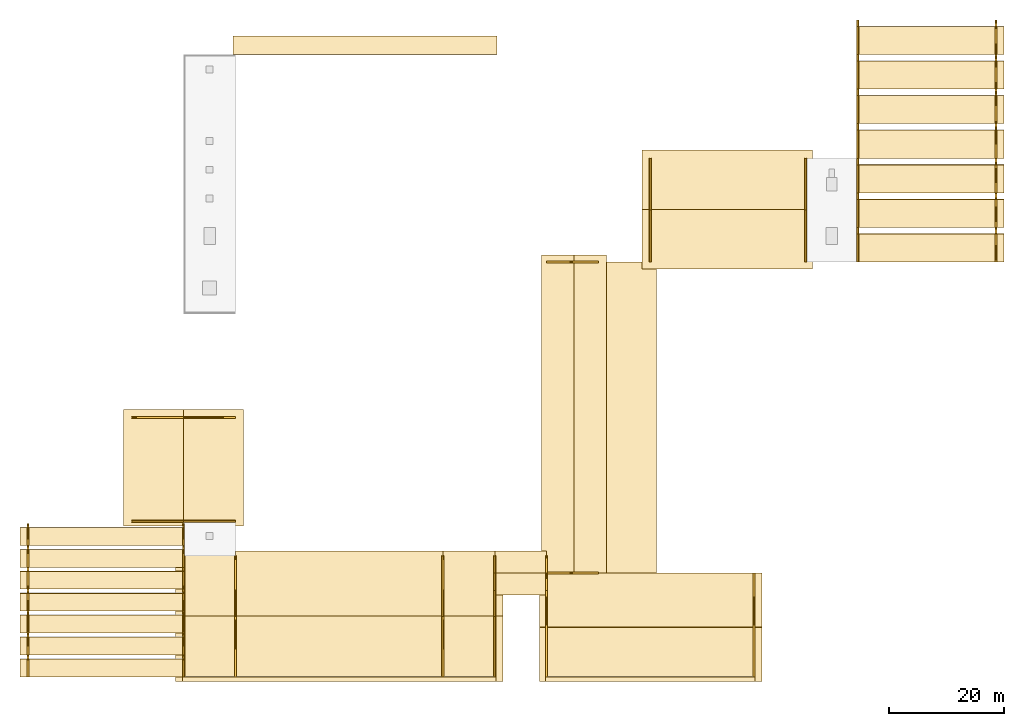
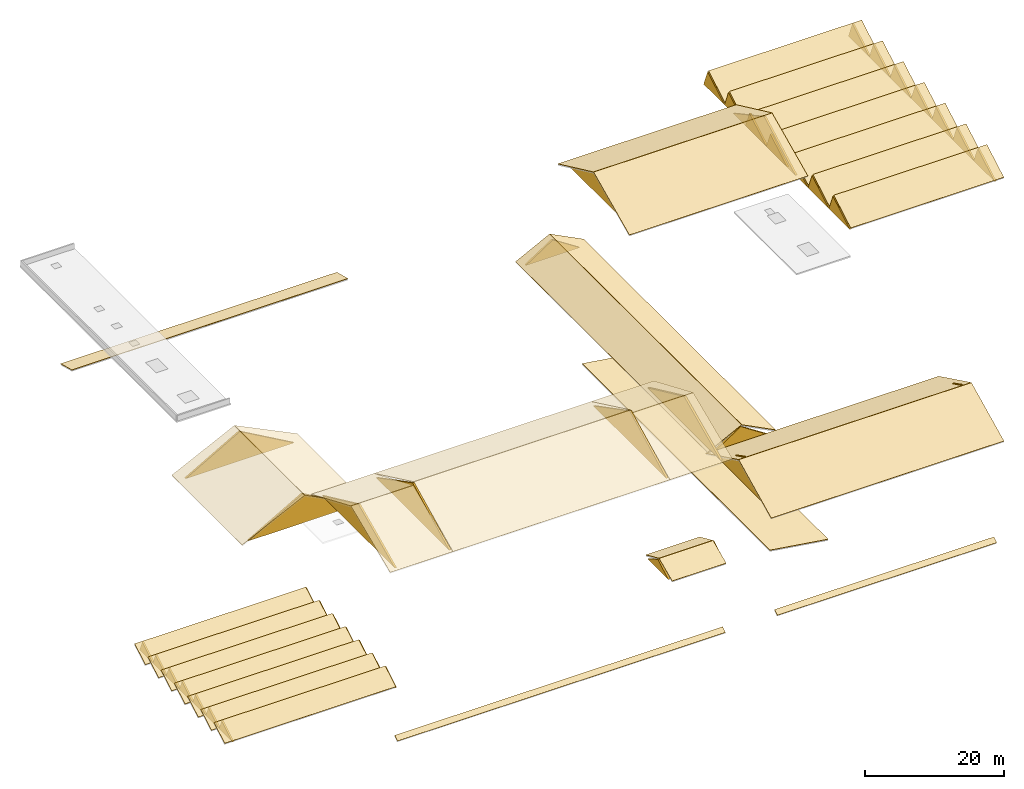
# One storey, part 2 of 2: 76 coverings, 14 elements without a shape of their own.
"""IFC4 building model written with IfcOpenShell, lengths in metres."""

from ifc_helpers import new_model, si_unit, direction, frame, origin, place, context, subcontext, project, spatial, polyline, outline, extrude, material, layer, layer_set, type_object, element, aggregate, save


model = new_model("IFC4")

# Units and contexts
model_context = context("Model", 3, precision=1e-05, world=origin(), true_north=direction((0.0, 1.0)))
body_context = subcontext(model_context, "Body", "Model", "MODEL_VIEW")
ifc_project = project(units=[si_unit("LENGTHUNIT", "METRE"), si_unit("AREAUNIT", "SQUARE_METRE"), si_unit("VOLUMEUNIT", "CUBIC_METRE"), si_unit("PLANEANGLEUNIT", "RADIAN"), si_unit("MASSUNIT", "GRAM", prefix="KILO")], contexts=[model_context])

# Site, building, storey
site_placement = place(None, origin())
site = spatial("IfcSite", under=ifc_project, at=site_placement, CompositionType="ELEMENT")
building_placement = place(site_placement, origin())
building = spatial("IfcBuilding", under=site, at=building_placement, Name="Lykobir Media Centre", CompositionType="ELEMENT")
storey_placement = place(building_placement, frame((0.0, 0.0, 40.199951171875)))
storey = spatial("IfcBuildingStorey", under=building, at=storey_placement, Name="Roof", CompositionType="ELEMENT", Elevation=40.199951171875)

# Coverings
ifc_material_1 = material(Name="Honed Travertine Stone", Category="masonry")
ifc_layer_1 = layer(ifc_material_1, 0.050048828125, Name="Honed Travertine Stone")
ifc_layer_set_1 = layer_set([ifc_layer_1], Name="Honed Travertine Stone")
covering_type_1 = type_object("IfcCoveringType", Name="CLD-TRAV", PredefinedType="CLADDING", material=ifc_layer_set_1)
for number, where, z_axis, x_axis, name in (
    (1, (36.0, 27.159912109375, -8.5), (0.0, 1.0, 0.0), (-1.0, 0.0, 0.0), "V3-PAV stone gable tympanum 990"),
    (2, (36.0, 45.159912109375, -8.5), (0.0, 1.0, 0.0), (-1.0, 0.0, 0.0), "V3-PAV stone gable tympanum 991"),
):
    element("IfcCovering", number, at=place(storey_placement, frame(where, z_axis=z_axis, x_axis=x_axis)), inside=storey, type_object=covering_type_1, Name=name, PredefinedType="CLADDING", context=body_context, shape_type="SweptSolid", body=[
        extrude(outline(polyline([(0.0, 0.0), (18.0, 0.0), (9.0, 5.132568359375), (0.0, 0.0)])), origin(), (0.0, 0.0, -1.0), 0.320068359375),
    ])
for number, where, z_axis, x_axis, name in (
    (3, (90.159912109375, 0.0, -12.699951171875), (1.0, 0.0, 0.0), (0.0, 1.0, 0.0), "V5-SOUTH stone gable tympanum 992"),
    (4, (126.159912109375, 0.0, -12.699951171875), (1.0, 0.0, 0.0), (0.0, 1.0, 0.0), "V5-SOUTH stone gable tympanum 993"),
):
    element("IfcCovering", number, at=place(storey_placement, frame(where, z_axis=z_axis, x_axis=x_axis)), inside=storey, type_object=covering_type_1, Name=name, PredefinedType="CLADDING", context=body_context, shape_type="SweptSolid", body=[
        extrude(outline(polyline([(0.0, 0.0), (18.0, 0.0), (9.0, 4.632568359375), (0.0, 0.0)])), origin(), (0.0, 0.0, -1.0), 0.320068359375),
    ])
for number, where, z_axis, x_axis, name in (
    (5, (99.0, 18.159912109375, -12.699951171875), (0.0, 1.0, 0.0), (-1.0, 0.0, 0.0), "V5-PASAJ stone gable tympanum 994"),
    (6, (99.0, 72.159912109375, -12.699951171875), (0.0, 1.0, 0.0), (-1.0, 0.0, 0.0), "V5-PASAJ stone gable tympanum 995"),
):
    element("IfcCovering", number, at=place(storey_placement, frame(where, z_axis=z_axis, x_axis=x_axis)), inside=storey, type_object=covering_type_1, Name=name, PredefinedType="CLADDING", context=body_context, shape_type="SweptSolid", body=[
        extrude(outline(polyline([(0.0, 0.0), (9.0, 0.0), (4.5, 2.938720703125), (0.0, 0.0)])), origin(), (0.0, 0.0, -1.0), 0.320068359375),
    ])
for number, where, z_axis, x_axis, name in (
    (7, (108.159912109375, 72.0, -12.699951171875), (1.0, 0.0, 0.0), (0.0, 1.0, 0.0), "V5-NORTH stone gable tympanum 996"),
    (8, (135.159912109375, 72.0, -12.699951171875), (1.0, 0.0, 0.0), (0.0, 1.0, 0.0), "V5-NORTH stone gable tympanum 997"),
):
    element("IfcCovering", number, at=place(storey_placement, frame(where, z_axis=z_axis, x_axis=x_axis)), inside=storey, type_object=covering_type_1, Name=name, PredefinedType="CLADDING", context=body_context, shape_type="SweptSolid", body=[
        extrude(outline(polyline([(0.0, 0.0), (18.0, 0.0), (9.0, 4.863037109375), (0.0, 0.0)])), origin(), (0.0, 0.0, -1.0), 0.320068359375),
    ])
covering_1_placement = place(storey_placement, frame((27.159912109375, 0.0, -0.099853515625), z_axis=(1.0, 0.0, 0.0), x_axis=(0.0, 1.0, 0.0)))
element("IfcCovering", 9, at=covering_1_placement, inside=storey, type_object=covering_type_1, Name="V7-WEST stone gable tympanum 998", PredefinedType="CLADDING", context=body_context, shape_type="SweptSolid", body=[
    extrude(outline(polyline([(0.0, 0.0), (21.0, 0.0), (10.5, 4.86279296875), (0.0, 0.0)])), origin(), (0.0, 0.0, -1.0), 0.320068359375),
])
for number, where, z_axis, x_axis, name in (
    (10, (36.159912109375, 0.0, -0.099853515625), (1.0, 0.0, 0.0), (0.0, 1.0, 0.0), "V7-CROWN stone gable tympanum 999"),
    (11, (72.159912109375, 0.0, -0.099853515625), (1.0, 0.0, 0.0), (0.0, 1.0, 0.0), "V7-CROWN stone gable tympanum 1000"),
):
    element("IfcCovering", number, at=place(storey_placement, frame(where, z_axis=z_axis, x_axis=x_axis)), inside=storey, type_object=covering_type_1, Name=name, PredefinedType="CLADDING", context=body_context, shape_type="SweptSolid", body=[
        extrude(outline(polyline([(0.0, 0.0), (21.0, 0.0), (10.5, 5.456787109375), (0.0, 0.0)])), origin(), (0.0, 0.0, -1.0), 0.320068359375),
    ])
covering_2_placement = place(storey_placement, frame((81.159912109375, 0.0, -0.099853515625), z_axis=(1.0, 0.0, 0.0), x_axis=(0.0, 1.0, 0.0)))
element("IfcCovering", 12, at=covering_2_placement, inside=storey, type_object=covering_type_1, Name="V7-EAST stone gable tympanum 1001", PredefinedType="CLADDING", context=body_context, shape_type="SweptSolid", body=[
    extrude(outline(polyline([(0.0, 0.0), (21.0, 0.0), (10.5, 4.86279296875), (0.0, 0.0)])), origin(), (0.0, 0.0, -1.0), 0.320068359375),
])
for number, where, z_axis, x_axis, name in (
    (13, (81.159912109375, 15.0, -30.099853515625), (1.0, 0.0, 0.0), (0.0, 1.0, 0.0), "BR1-CAN stone gable tympanum 1002"),
    (14, (90.159912109375, 15.0, -30.099853515625), (1.0, 0.0, 0.0), (0.0, 1.0, 0.0), "BR1-CAN stone gable tympanum 1003"),
):
    element("IfcCovering", number, at=place(storey_placement, frame(where, z_axis=z_axis, x_axis=x_axis)), inside=storey, type_object=covering_type_1, Name=name, PredefinedType="CLADDING", context=body_context, shape_type="SweptSolid", body=[
        extrude(outline(polyline([(0.0, 0.0), (6.0, 0.0), (3.0, 1.751708984375), (0.0, 0.0)])), origin(), (0.0, 0.0, -1.0), 0.320068359375),
    ])
for number, where, z_axis, x_axis, name in (
    (15, (0.14990234375, 0.0, -21.099853515625), (1.0, 0.0, 0.0), (0.0, 1.0, 0.0), "V1 sawtooth cheek 1"),
    (16, (27.14990234375, 0.0, -21.099853515625), (1.0, 0.0, 0.0), (0.0, 1.0, 0.0), "V1 sawtooth cheek 1"),
    (17, (0.14990234375, 3.800048828125, -21.099853515625), (1.0, 0.0, 0.0), (0.0, 1.0, 0.0), "V1 sawtooth cheek 2"),
    (18, (27.14990234375, 3.800048828125, -21.099853515625), (1.0, 0.0, 0.0), (0.0, 1.0, 0.0), "V1 sawtooth cheek 2"),
):
    element("IfcCovering", number, at=place(storey_placement, frame(where, z_axis=z_axis, x_axis=x_axis)), inside=storey, type_object=covering_type_1, Name=name, PredefinedType="CLADDING", context=body_context, shape_type="SweptSolid", body=[
        extrude(outline(polyline([(0.0, 0.0), (3.800048828125, 0.0), (3.081298828125, 1.8388671875), (0.0, 0.0)])), origin(), (0.0, 0.0, -1.0), 0.300048828125),
    ])
for number, where, z_axis, x_axis, name in (
    (19, (0.14990234375, 7.60009765625, -21.099853515625), (1.0, 0.0, 0.0), (0.0, 1.0, 0.0), "V1 sawtooth cheek 3"),
    (20, (27.14990234375, 7.60009765625, -21.099853515625), (1.0, 0.0, 0.0), (0.0, 1.0, 0.0), "V1 sawtooth cheek 3"),
):
    element("IfcCovering", number, at=place(storey_placement, frame(where, z_axis=z_axis, x_axis=x_axis)), inside=storey, type_object=covering_type_1, Name=name, PredefinedType="CLADDING", context=body_context, shape_type="SweptSolid", body=[
        extrude(outline(polyline([(0.0, 0.0), (3.7998046875, 0.0), (3.081298828125, 1.8388671875), (0.0, 0.0)])), origin(), (0.0, 0.0, -1.0), 0.300048828125),
    ])
for number, where, z_axis, x_axis, name in (
    (21, (0.14990234375, 11.39990234375, -21.099853515625), (1.0, 0.0, 0.0), (0.0, 1.0, 0.0), "V1 sawtooth cheek 4"),
    (22, (27.14990234375, 11.39990234375, -21.099853515625), (1.0, 0.0, 0.0), (0.0, 1.0, 0.0), "V1 sawtooth cheek 4"),
    (23, (0.14990234375, 15.199951171875, -21.099853515625), (1.0, 0.0, 0.0), (0.0, 1.0, 0.0), "V1 sawtooth cheek 5"),
    (24, (27.14990234375, 15.199951171875, -21.099853515625), (1.0, 0.0, 0.0), (0.0, 1.0, 0.0), "V1 sawtooth cheek 5"),
    (25, (0.14990234375, 19.0, -21.099853515625), (1.0, 0.0, 0.0), (0.0, 1.0, 0.0), "V1 sawtooth cheek 6"),
    (26, (27.14990234375, 19.0, -21.099853515625), (1.0, 0.0, 0.0), (0.0, 1.0, 0.0), "V1 sawtooth cheek 6"),
    (27, (0.14990234375, 22.800048828125, -21.099853515625), (1.0, 0.0, 0.0), (0.0, 1.0, 0.0), "V1 sawtooth cheek 7"),
    (28, (27.14990234375, 22.800048828125, -21.099853515625), (1.0, 0.0, 0.0), (0.0, 1.0, 0.0), "V1 sawtooth cheek 7"),
):
    element("IfcCovering", number, at=place(storey_placement, frame(where, z_axis=z_axis, x_axis=x_axis)), inside=storey, type_object=covering_type_1, Name=name, PredefinedType="CLADDING", context=body_context, shape_type="SweptSolid", body=[
        extrude(outline(polyline([(0.0, 0.0), (3.800048828125, 0.0), (3.081298828125, 1.8388671875), (0.0, 0.0)])), origin(), (0.0, 0.0, -1.0), 0.300048828125),
    ])
for number, where, z_axis, x_axis, name in (
    (29, (144.14990234375, 72.0, -25.300048828125), (1.0, 0.0, 0.0), (0.0, 1.0, 0.0), "V2 sawtooth cheek 1"),
    (30, (168.14990234375, 72.0, -25.300048828125), (1.0, 0.0, 0.0), (0.0, 1.0, 0.0), "V2 sawtooth cheek 1"),
    (31, (144.14990234375, 78.0, -25.300048828125), (1.0, 0.0, 0.0), (0.0, 1.0, 0.0), "V2 sawtooth cheek 2"),
    (32, (168.14990234375, 78.0, -25.300048828125), (1.0, 0.0, 0.0), (0.0, 1.0, 0.0), "V2 sawtooth cheek 2"),
    (33, (144.14990234375, 84.0, -25.300048828125), (1.0, 0.0, 0.0), (0.0, 1.0, 0.0), "V2 sawtooth cheek 3"),
    (34, (168.14990234375, 84.0, -25.300048828125), (1.0, 0.0, 0.0), (0.0, 1.0, 0.0), "V2 sawtooth cheek 3"),
    (35, (144.14990234375, 90.0, -25.300048828125), (1.0, 0.0, 0.0), (0.0, 1.0, 0.0), "V2 sawtooth cheek 4"),
    (36, (168.14990234375, 90.0, -25.300048828125), (1.0, 0.0, 0.0), (0.0, 1.0, 0.0), "V2 sawtooth cheek 4"),
    (37, (144.14990234375, 96.0, -25.300048828125), (1.0, 0.0, 0.0), (0.0, 1.0, 0.0), "V2 sawtooth cheek 5"),
    (38, (168.14990234375, 96.0, -25.300048828125), (1.0, 0.0, 0.0), (0.0, 1.0, 0.0), "V2 sawtooth cheek 5"),
    (39, (144.14990234375, 102.0, -25.300048828125), (1.0, 0.0, 0.0), (0.0, 1.0, 0.0), "V2 sawtooth cheek 6"),
    (40, (168.14990234375, 102.0, -25.300048828125), (1.0, 0.0, 0.0), (0.0, 1.0, 0.0), "V2 sawtooth cheek 6"),
    (41, (144.14990234375, 108.0, -25.300048828125), (1.0, 0.0, 0.0), (0.0, 1.0, 0.0), "V2 sawtooth cheek 7"),
    (42, (168.14990234375, 108.0, -25.300048828125), (1.0, 0.0, 0.0), (0.0, 1.0, 0.0), "V2 sawtooth cheek 7"),
):
    element("IfcCovering", number, at=place(storey_placement, frame(where, z_axis=z_axis, x_axis=x_axis)), inside=storey, type_object=covering_type_1, Name=name, PredefinedType="CLADDING", context=body_context, shape_type="SweptSolid", body=[
        extrude(outline(polyline([(0.0, 0.0), (6.0, 0.0), (4.864990234375, 2.868896484375), (0.0, 0.0)])), origin(), (0.0, 0.0, -1.0), 0.300048828125),
    ])

# Roof, coverings
ifc_material_2 = material(Name="Pre-Weathered Titanium-Zinc", Category="metal")
roof_type_1 = type_object("IfcRoofType", Name="RF-PITCHED", PredefinedType="GABLE_ROOF", material=ifc_material_2)
roof_1_placement = place(storey_placement, origin())
roof_1 = element("IfcRoof", 43, at=roof_1_placement, inside=storey, type_object=roof_type_1, Name="Pitched zinc roof V3-PAV", PredefinedType="GABLE_ROOF")
ifc_layer_2 = layer(ifc_material_2, 0.080078125, Name="Pre-Weathered Titanium-Zinc")
ifc_layer_set_2 = layer_set([ifc_layer_2], Name="Pre-Weathered Titanium-Zinc")
covering_type_2 = type_object("IfcCoveringType", Name="COV-ZINC-ROOF", PredefinedType="ROOFING", material=ifc_layer_set_2)
covering_3_placement = place(storey_placement, frame((16.60009765625, 46.39990234375, -8.31494140625), z_axis=(-0.438888448449, 0.0, 0.89854155709), x_axis=(0.0, -1.0, 0.0)))
covering_3 = element("IfcCovering", 44, at=covering_3_placement, type_object=covering_type_2, Name="V3-PAV titanium-zinc covering W", PredefinedType="ROOFING", context=body_context, shape_type="SweptSolid", body=[
    extrude(outline(polyline([(0.0, 0.0), (20.199951171875, 0.0), (20.199951171875, 11.55762878597888), (0.0, 11.55762878597888), (0.0, 0.0)])), origin(), (0.0, 0.0, -1.0), 0.080078125),
])
covering_4_placement = place(storey_placement, frame((37.39990234375, 26.199951171875, -8.31494140625), z_axis=(0.438888448449, 0.0, 0.89854155709), x_axis=(0.0, 1.0, 0.0)))
covering_4 = element("IfcCovering", 45, at=covering_4_placement, type_object=covering_type_2, Name="V3-PAV titanium-zinc covering E", PredefinedType="ROOFING", context=body_context, shape_type="SweptSolid", body=[
    extrude(outline(polyline([(0.0, 0.0), (20.199951171875, 0.0), (20.199951171875, 11.55762878597888), (0.0, 11.55762878597888), (0.0, 0.0)])), origin(), (0.0, 0.0, -1.0), 0.080078125),
])
aggregate(roof_1, [covering_3, covering_4])

roof_2_placement = place(storey_placement, origin())
roof_2 = element("IfcRoof", 46, at=roof_2_placement, inside=storey, type_object=roof_type_1, Name="Pitched zinc roof V5-SOUTH", PredefinedType="GABLE_ROOF")
covering_5_placement = place(storey_placement, frame((88.800048828125, -0.780029296875, -12.514892578125), z_axis=(0.0, -0.438935631142, 0.898518509389), x_axis=(1.0, 0.0, 0.0)))
covering_5 = element("IfcCovering", 47, at=covering_5_placement, type_object=covering_type_2, Name="V5-SOUTH titanium-zinc covering S", PredefinedType="ROOFING", context=body_context, shape_type="SweptSolid", body=[
    extrude(outline(polyline([(0.0, 0.0), (38.599853515625, 0.0), (38.599853515625, 10.41726722829819), (0.0, 10.41726722829819), (0.0, 0.0)])), origin(), (0.0, 0.0, -1.0), 0.080078125),
])
covering_6_placement = place(storey_placement, frame((127.39990234375, 17.969970703125, -12.514892578125), z_axis=(0.0, 0.438944874338, 0.898513993933), x_axis=(-1.0, 0.0, 0.0)))
covering_6 = element("IfcCovering", 48, at=covering_6_placement, type_object=covering_type_2, Name="V5-SOUTH titanium-zinc covering N", PredefinedType="ROOFING", context=body_context, shape_type="SweptSolid", body=[
    extrude(outline(polyline([(0.0, 0.0), (38.599853515625, 0.0), (38.599853515625, 10.417047863978931), (0.0, 10.417047863978931), (0.0, 0.0)])), origin(), (0.0, 0.0, -1.0), 0.080078125),
])
aggregate(roof_2, [covering_5, covering_6])

roof_3_placement = place(storey_placement, origin())
roof_3 = element("IfcRoof", 49, at=roof_3_placement, inside=storey, type_object=roof_type_1, Name="Pitched zinc roof V5-PASAJ", PredefinedType="GABLE_ROOF")
covering_7_placement = place(storey_placement, frame((89.10009765625, 73.199951171875, -12.514892578125), z_axis=(-0.454928862473, 0.0, 0.890527781761), x_axis=(0.0, -1.0, 0.0)))
covering_7 = element("IfcCovering", 50, at=covering_7_placement, type_object=covering_type_2, Name="V5-PASAJ titanium-zinc covering W", PredefinedType="ROOFING", context=body_context, shape_type="SweptSolid", body=[
    extrude(outline(polyline([(0.0, 0.0), (55.169921875, 0.0), (55.169921875, 6.327719225648404), (0.0, 6.327719225648404), (0.0, 0.0)])), origin(), (0.0, 0.0, -1.0), 0.080078125),
])
covering_8_placement = place(storey_placement, frame((100.39990234375, 18.030029296875, -12.514892578125), z_axis=(0.454928862473, 0.0, 0.890527781761), x_axis=(0.0, 1.0, 0.0)))
covering_8 = element("IfcCovering", 51, at=covering_8_placement, type_object=covering_type_2, Name="V5-PASAJ titanium-zinc covering E", PredefinedType="ROOFING", context=body_context, shape_type="SweptSolid", body=[
    extrude(outline(polyline([(0.0, 0.0), (55.169921875, 0.0), (55.169921875, 6.327719225648404), (0.0, 6.327719225648404), (0.0, 0.0)])), origin(), (0.0, 0.0, -1.0), 0.080078125),
])
aggregate(roof_3, [covering_7, covering_8])

roof_4_placement = place(storey_placement, origin())
roof_4 = element("IfcRoof", 52, at=roof_4_placement, inside=storey, type_object=roof_type_1, Name="Pitched zinc roof V5-NORTH", PredefinedType="GABLE_ROOF")
covering_9_placement = place(storey_placement, frame((106.60009765625, 70.800048828125, -12.514892578125), z_axis=(0.0, -0.423128004547, 0.906069915497), x_axis=(1.0, 0.0, 0.0)))
covering_9 = element("IfcCovering", 53, at=covering_9_placement, type_object=covering_type_2, Name="V5-NORTH titanium-zinc covering S", PredefinedType="ROOFING", context=body_context, shape_type="SweptSolid", body=[
    extrude(outline(polyline([(0.0, 0.0), (29.599853515625, 0.0), (29.599853515625, 11.351124161030214), (0.0, 11.351124161030214), (0.0, 0.0)])), origin(), (0.0, 0.0, -1.0), 0.080078125),
])
covering_10_placement = place(storey_placement, frame((136.199951171875, 91.39990234375, -12.514892578125), z_axis=(0.0, 0.423128004547, 0.906069915497), x_axis=(-1.0, 0.0, 0.0)))
covering_10 = element("IfcCovering", 54, at=covering_10_placement, type_object=covering_type_2, Name="V5-NORTH titanium-zinc covering N", PredefinedType="ROOFING", context=body_context, shape_type="SweptSolid", body=[
    extrude(outline(polyline([(0.0, 0.0), (29.599853515625, 0.0), (29.599853515625, 11.351124161030214), (0.0, 11.351124161030214), (0.0, 0.0)])), origin(), (0.0, 0.0, -1.0), 0.080078125),
])
aggregate(roof_4, [covering_9, covering_10])

roof_5_placement = place(storey_placement, origin())
roof_5 = element("IfcRoof", 55, at=roof_5_placement, inside=storey, type_object=roof_type_1, Name="Pitched zinc roof V7-WEST", PredefinedType="GABLE_ROOF")
covering_11_placement = place(storey_placement, frame((25.60009765625, -0.780029296875, 0.0849609375), z_axis=(0.0, -0.391172218266, 0.920317497202), x_axis=(1.0, 0.0, 0.0)))
covering_11 = element("IfcCovering", 56, at=covering_11_placement, type_object=covering_type_2, Name="V7-WEST titanium-zinc covering S", PredefinedType="ROOFING", context=body_context, shape_type="SweptSolid", body=[
    extrude(outline(polyline([(0.0, 0.0), (10.39990234375, 0.0), (10.39990234375, 12.278424416005684), (0.0, 12.278424416005684), (0.0, 0.0)])), origin(), (0.0, 0.0, -1.0), 0.080078125),
])
covering_12_placement = place(storey_placement, frame((36.0, 21.85009765625, 0.0849609375), z_axis=(0.0, 0.391172218266, 0.920317497202), x_axis=(-1.0, 0.0, 0.0)))
covering_12 = element("IfcCovering", 57, at=covering_12_placement, type_object=covering_type_2, Name="V7-WEST titanium-zinc covering N", PredefinedType="ROOFING", context=body_context, shape_type="SweptSolid", body=[
    extrude(outline(polyline([(0.0, 0.0), (10.39990234375, 0.0), (10.39990234375, 12.278424416005684), (0.0, 12.278424416005684), (0.0, 0.0)])), origin(), (0.0, 0.0, -1.0), 0.080078125),
])
aggregate(roof_5, [covering_11, covering_12])

roof_6_placement = place(storey_placement, origin())
roof_6 = element("IfcRoof", 58, at=roof_6_placement, inside=storey, type_object=roof_type_1, Name="Pitched zinc roof V7-CROWN", PredefinedType="GABLE_ROOF")
covering_13_placement = place(storey_placement, frame((36.010009765625, -0.780029296875, 0.0849609375), z_axis=(0.0, -0.430974609099, 0.9023640542), x_axis=(1.0, 0.0, 0.0)))
covering_13 = element("IfcCovering", 59, at=covering_13_placement, type_object=covering_type_2, Name="V7-CROWN titanium-zinc covering S", PredefinedType="ROOFING", context=body_context, shape_type="SweptSolid", body=[
    extrude(outline(polyline([(0.0, 0.0), (35.97998046875, 0.0), (35.97998046875, 12.522716054048313), (0.0, 12.522716054048313), (0.0, 0.0)])), origin(), (0.0, 0.0, -1.0), 0.080078125),
])
covering_14_placement = place(storey_placement, frame((71.989990234375, 21.85009765625, 0.0849609375), z_axis=(0.0, 0.430974609099, 0.9023640542), x_axis=(-1.0, 0.0, 0.0)))
covering_14 = element("IfcCovering", 60, at=covering_14_placement, type_object=covering_type_2, Name="V7-CROWN titanium-zinc covering N", PredefinedType="ROOFING", context=body_context, shape_type="SweptSolid", body=[
    extrude(outline(polyline([(0.0, 0.0), (35.97998046875, 0.0), (35.97998046875, 12.522716054048313), (0.0, 12.522716054048313), (0.0, 0.0)])), origin(), (0.0, 0.0, -1.0), 0.080078125),
])
aggregate(roof_6, [covering_13, covering_14])

roof_7_placement = place(storey_placement, origin())
roof_7 = element("IfcRoof", 61, at=roof_7_placement, inside=storey, type_object=roof_type_1, Name="Pitched zinc roof V7-EAST", PredefinedType="GABLE_ROOF")
covering_15_placement = place(storey_placement, frame((72.0, -0.780029296875, 0.0849609375), z_axis=(0.0, -0.391172218266, 0.920317497202), x_axis=(1.0, 0.0, 0.0)))
covering_15 = element("IfcCovering", 62, at=covering_15_placement, type_object=covering_type_2, Name="V7-EAST titanium-zinc covering S", PredefinedType="ROOFING", context=body_context, shape_type="SweptSolid", body=[
    extrude(outline(polyline([(0.0, 0.0), (10.39990234375, 0.0), (10.39990234375, 12.278424416005684), (0.0, 12.278424416005684), (0.0, 0.0)])), origin(), (0.0, 0.0, -1.0), 0.080078125),
])
covering_16_placement = place(storey_placement, frame((82.39990234375, 21.85009765625, 0.0849609375), z_axis=(0.0, 0.391172218266, 0.920317497202), x_axis=(-1.0, 0.0, 0.0)))
covering_16 = element("IfcCovering", 63, at=covering_16_placement, type_object=covering_type_2, Name="V7-EAST titanium-zinc covering N", PredefinedType="ROOFING", context=body_context, shape_type="SweptSolid", body=[
    extrude(outline(polyline([(0.0, 0.0), (10.39990234375, 0.0), (10.39990234375, 12.278424416005684), (0.0, 12.278424416005684), (0.0, 0.0)])), origin(), (0.0, 0.0, -1.0), 0.080078125),
])
aggregate(roof_7, [covering_15, covering_16])

roof_8_placement = place(storey_placement, origin())
roof_8 = element("IfcRoof", 64, at=roof_8_placement, inside=storey, type_object=roof_type_1, Name="Pitched zinc roof BR1-CAN", PredefinedType="GABLE_ROOF")
covering_17_placement = place(storey_placement, frame((81.02001953125, 14.199951171875, -29.9150390625), z_axis=(0.0, -0.408071648811, 0.912949905218), x_axis=(1.0, 0.0, 0.0)))
covering_17 = element("IfcCovering", 65, at=covering_17_placement, type_object=covering_type_2, Name="BR1-CAN titanium-zinc covering S", PredefinedType="ROOFING", context=body_context, shape_type="SweptSolid", body=[
    extrude(outline(polyline([(0.0, 0.0), (8.9599609375, 0.0), (8.9599609375, 4.14607223065249), (0.0, 4.14607223065249), (0.0, 0.0)])), origin(), (0.0, 0.0, -1.0), 0.080078125),
])
covering_18_placement = place(storey_placement, frame((89.97998046875, 21.800048828125, -29.9150390625), z_axis=(0.0, 0.408071648811, 0.912949905218), x_axis=(-1.0, 0.0, 0.0)))
covering_18 = element("IfcCovering", 66, at=covering_18_placement, type_object=covering_type_2, Name="BR1-CAN titanium-zinc covering N", PredefinedType="ROOFING", context=body_context, shape_type="SweptSolid", body=[
    extrude(outline(polyline([(0.0, 0.0), (8.9599609375, 0.0), (8.9599609375, 4.14607223065249), (0.0, 4.14607223065249), (0.0, 0.0)])), origin(), (0.0, 0.0, -1.0), 0.080078125),
])
aggregate(roof_8, [covering_17, covering_18])

# Roof, covering
roof_type_2 = type_object("IfcRoofType", Name="RF-SAWTOOTH", PredefinedType="SHED_ROOF", material=ifc_material_2)
roof_9_placement = place(storey_placement, origin())
roof_9 = element("IfcRoof", 67, at=roof_9_placement, inside=storey, type_object=roof_type_2, Name="East Cloister podium roof", PredefinedType="SHED_ROOF")
covering_19_placement = place(storey_placement, frame((109.10009765625, 18.02001953125, -34.71484375), z_axis=(0.148583903157, 0.0, 0.988899804693), x_axis=(0.0, 1.0, 0.0)))
covering_19 = element("IfcCovering", 68, at=covering_19_placement, type_object=covering_type_2, Name="East Cloister podium roof titanium-zinc covering", PredefinedType="ROOFING", context=body_context, shape_type="SweptSolid", body=[
    extrude(outline(polyline([(0.0, 0.0), (53.9599609375, 0.0), (53.9599609375, 9.758467378165326), (0.0, 9.758467378165326), (0.0, 0.0)])), origin(), (0.0, 0.0, -1.0), 0.080078125),
])
aggregate(roof_9, [covering_19])

roof_10_placement = place(storey_placement, origin())
roof_10 = element("IfcRoof", 69, at=roof_10_placement, inside=storey, type_object=roof_type_2, Name="South Avenue West Revak portico roof", PredefinedType="SHED_ROOF")
covering_20_placement = place(storey_placement, frame((26.800048828125, -0.780029296875, -29.9150390625), z_axis=(0.0, -0.576291473661, 0.81724423362), x_axis=(1.0, 0.0, 0.0)))
covering_20 = element("IfcCovering", 70, at=covering_20_placement, type_object=covering_type_2, Name="South Avenue West Revak portico roof titanium-zinc covering", PredefinedType="ROOFING", context=body_context, shape_type="SweptSolid", body=[
    extrude(outline(polyline([(0.0, 0.0), (54.39990234375, 0.0), (54.39990234375, 0.954462894671654), (0.0, 0.954462894671654), (0.0, 0.0)])), origin(), (0.0, 0.0, -1.0), 0.080078125),
])
aggregate(roof_10, [covering_20])

roof_11_placement = place(storey_placement, origin())
roof_11 = element("IfcRoof", 71, at=roof_11_placement, inside=storey, type_object=roof_type_2, Name="South Avenue East Revak portico roof", PredefinedType="SHED_ROOF")
covering_21_placement = place(storey_placement, frame((89.800048828125, -0.780029296875, -29.9150390625), z_axis=(0.0, -0.576291473661, 0.81724423362), x_axis=(1.0, 0.0, 0.0)))
covering_21 = element("IfcCovering", 72, at=covering_21_placement, type_object=covering_type_2, Name="South Avenue East Revak portico roof titanium-zinc covering", PredefinedType="ROOFING", context=body_context, shape_type="SweptSolid", body=[
    extrude(outline(polyline([(0.0, 0.0), (36.39990234375, 0.0), (36.39990234375, 0.954462894671654), (0.0, 0.954462894671654), (0.0, 0.0)])), origin(), (0.0, 0.0, -1.0), 0.080078125),
])
aggregate(roof_11, [covering_21])

roof_12_placement = place(storey_placement, origin())
roof_12 = element("IfcRoof", 73, at=roof_12_placement, inside=storey, type_object=roof_type_2, Name="North Avenue Revak entrance portico roof", PredefinedType="SHED_ROOF")
covering_22_placement = place(storey_placement, frame((35.60009765625, 111.199951171875, -34.71484375), z_axis=(0.0, 0.256684943451, 0.966495131806), x_axis=(1.0, 0.0, 0.0)))
covering_22 = element("IfcCovering", 74, at=covering_22_placement, type_object=covering_type_2, Name="North Avenue Revak entrance portico roof titanium-zinc covering", PredefinedType="ROOFING", context=body_context, shape_type="SweptSolid", body=[
    extrude(outline(polyline([(0.0, 0.0), (45.7998046875, 0.0), (45.7998046875, -3.3108818312353523), (0.0, -3.3108818312353523), (0.0, 0.0)])), origin(), (0.0, 0.0, -1.0), 0.080078125),
])
aggregate(roof_12, [covering_22])

# Roof, coverings
roof_13_placement = place(storey_placement, origin())
roof_13 = element("IfcRoof", 75, at=roof_13_placement, inside=storey, type_object=roof_type_2, Name="Sawtooth roof V1", PredefinedType="SHED_ROOF")
covering_23_placement = place(storey_placement, frame((-1.39990234375, 0.0, -20.9150390625), z_axis=(0.0, -0.500013496215, 0.866017611601), x_axis=(1.0, 0.0, 0.0)))
covering_23 = element("IfcCovering", 76, at=covering_23_placement, type_object=covering_type_2, Name="V1 titanium-zinc roof covering 1", PredefinedType="ROOFING", context=body_context, shape_type="SweptSolid", body=[
    extrude(outline(polyline([(0.0, 0.0), (28.39990234375, 0.0), (28.39990234375, 3.5580094294270306), (0.0, 3.5580094294270306), (0.0, 0.0)])), origin(), (0.0, 0.0, -1.0), 0.080078125),
])
covering_24_placement = place(storey_placement, frame((-1.39990234375, 3.800048828125, -20.9150390625), z_axis=(0.0, -0.500013496215, 0.866017611601), x_axis=(1.0, 0.0, 0.0)))
covering_24 = element("IfcCovering", 77, at=covering_24_placement, type_object=covering_type_2, Name="V1 titanium-zinc roof covering 2", PredefinedType="ROOFING", context=body_context, shape_type="SweptSolid", body=[
    extrude(outline(polyline([(0.0, 0.0), (28.39990234375, 0.0), (28.39990234375, 3.5580094294270306), (0.0, 3.5580094294270306), (0.0, 0.0)])), origin(), (0.0, 0.0, -1.0), 0.080078125),
])
covering_25_placement = place(storey_placement, frame((-1.39990234375, 7.60009765625, -20.9150390625), z_axis=(0.0, -0.500013496215, 0.866017611601), x_axis=(1.0, 0.0, 0.0)))
covering_25 = element("IfcCovering", 78, at=covering_25_placement, type_object=covering_type_2, Name="V1 titanium-zinc roof covering 3", PredefinedType="ROOFING", context=body_context, shape_type="SweptSolid", body=[
    extrude(outline(polyline([(0.0, 0.0), (28.39990234375, 0.0), (28.39990234375, 3.5580094294270306), (0.0, 3.5580094294270306), (0.0, 0.0)])), origin(), (0.0, 0.0, -1.0), 0.080078125),
])
covering_26_placement = place(storey_placement, frame((-1.39990234375, 11.39990234375, -20.9150390625), z_axis=(0.0, -0.500013496215, 0.866017611601), x_axis=(1.0, 0.0, 0.0)))
covering_26 = element("IfcCovering", 79, at=covering_26_placement, type_object=covering_type_2, Name="V1 titanium-zinc roof covering 4", PredefinedType="ROOFING", context=body_context, shape_type="SweptSolid", body=[
    extrude(outline(polyline([(0.0, 0.0), (28.39990234375, 0.0), (28.39990234375, 3.5580094294270306), (0.0, 3.5580094294270306), (0.0, 0.0)])), origin(), (0.0, 0.0, -1.0), 0.080078125),
])
covering_27_placement = place(storey_placement, frame((-1.39990234375, 15.199951171875, -20.9150390625), z_axis=(0.0, -0.500013496215, 0.866017611601), x_axis=(1.0, 0.0, 0.0)))
covering_27 = element("IfcCovering", 80, at=covering_27_placement, type_object=covering_type_2, Name="V1 titanium-zinc roof covering 5", PredefinedType="ROOFING", context=body_context, shape_type="SweptSolid", body=[
    extrude(outline(polyline([(0.0, 0.0), (28.39990234375, 0.0), (28.39990234375, 3.5580094294270306), (0.0, 3.5580094294270306), (0.0, 0.0)])), origin(), (0.0, 0.0, -1.0), 0.080078125),
])
covering_28_placement = place(storey_placement, frame((-1.39990234375, 19.0, -20.9150390625), z_axis=(0.0, -0.500013496215, 0.866017611601), x_axis=(1.0, 0.0, 0.0)))
covering_28 = element("IfcCovering", 81, at=covering_28_placement, type_object=covering_type_2, Name="V1 titanium-zinc roof covering 6", PredefinedType="ROOFING", context=body_context, shape_type="SweptSolid", body=[
    extrude(outline(polyline([(0.0, 0.0), (28.39990234375, 0.0), (28.39990234375, 3.5580094294270306), (0.0, 3.5580094294270306), (0.0, 0.0)])), origin(), (0.0, 0.0, -1.0), 0.080078125),
])
covering_29_placement = place(storey_placement, frame((-1.39990234375, 22.800048828125, -20.9150390625), z_axis=(0.0, -0.500013496215, 0.866017611601), x_axis=(1.0, 0.0, 0.0)))
covering_29 = element("IfcCovering", 82, at=covering_29_placement, type_object=covering_type_2, Name="V1 titanium-zinc roof covering 7", PredefinedType="ROOFING", context=body_context, shape_type="SweptSolid", body=[
    extrude(outline(polyline([(0.0, 0.0), (28.39990234375, 0.0), (28.39990234375, 3.5580094294270306), (0.0, 3.5580094294270306), (0.0, 0.0)])), origin(), (0.0, 0.0, -1.0), 0.080078125),
])
aggregate(roof_13, [covering_23, covering_24, covering_25, covering_26, covering_27, covering_28, covering_29])

roof_14_placement = place(storey_placement, origin())
roof_14 = element("IfcRoof", 83, at=roof_14_placement, inside=storey, type_object=roof_type_2, Name="Sawtooth roof V2", PredefinedType="SHED_ROOF")
covering_30_placement = place(storey_placement, frame((144.0, 72.0, -25.114990234375), z_axis=(0.0, -0.500004601921, 0.866022746848), x_axis=(1.0, 0.0, 0.0)))
covering_30 = element("IfcCovering", 84, at=covering_30_placement, type_object=covering_type_2, Name="V2 titanium-zinc roof covering 1", PredefinedType="ROOFING", context=body_context, shape_type="SweptSolid", body=[
    extrude(outline(polyline([(0.0, 0.0), (25.39990234375, 0.0), (25.39990234375, 5.6176240775237725), (0.0, 5.6176240775237725), (0.0, 0.0)])), origin(), (0.0, 0.0, -1.0), 0.080078125),
])
covering_31_placement = place(storey_placement, frame((144.0, 78.0, -25.114990234375), z_axis=(0.0, -0.500004601921, 0.866022746848), x_axis=(1.0, 0.0, 0.0)))
covering_31 = element("IfcCovering", 85, at=covering_31_placement, type_object=covering_type_2, Name="V2 titanium-zinc roof covering 2", PredefinedType="ROOFING", context=body_context, shape_type="SweptSolid", body=[
    extrude(outline(polyline([(0.0, 0.0), (25.39990234375, 0.0), (25.39990234375, 5.6176240775237725), (0.0, 5.6176240775237725), (0.0, 0.0)])), origin(), (0.0, 0.0, -1.0), 0.080078125),
])
covering_32_placement = place(storey_placement, frame((144.0, 84.0, -25.114990234375), z_axis=(0.0, -0.500004601921, 0.866022746848), x_axis=(1.0, 0.0, 0.0)))
covering_32 = element("IfcCovering", 86, at=covering_32_placement, type_object=covering_type_2, Name="V2 titanium-zinc roof covering 3", PredefinedType="ROOFING", context=body_context, shape_type="SweptSolid", body=[
    extrude(outline(polyline([(0.0, 0.0), (25.39990234375, 0.0), (25.39990234375, 5.6176240775237725), (0.0, 5.6176240775237725), (0.0, 0.0)])), origin(), (0.0, 0.0, -1.0), 0.080078125),
])
covering_33_placement = place(storey_placement, frame((144.0, 90.0, -25.114990234375), z_axis=(0.0, -0.500004601921, 0.866022746848), x_axis=(1.0, 0.0, 0.0)))
covering_33 = element("IfcCovering", 87, at=covering_33_placement, type_object=covering_type_2, Name="V2 titanium-zinc roof covering 4", PredefinedType="ROOFING", context=body_context, shape_type="SweptSolid", body=[
    extrude(outline(polyline([(0.0, 0.0), (25.39990234375, 0.0), (25.39990234375, 5.6176240775237725), (0.0, 5.6176240775237725), (0.0, 0.0)])), origin(), (0.0, 0.0, -1.0), 0.080078125),
])
covering_34_placement = place(storey_placement, frame((144.0, 96.0, -25.114990234375), z_axis=(0.0, -0.500004601921, 0.866022746848), x_axis=(1.0, 0.0, 0.0)))
covering_34 = element("IfcCovering", 88, at=covering_34_placement, type_object=covering_type_2, Name="V2 titanium-zinc roof covering 5", PredefinedType="ROOFING", context=body_context, shape_type="SweptSolid", body=[
    extrude(outline(polyline([(0.0, 0.0), (25.39990234375, 0.0), (25.39990234375, 5.6176240775237725), (0.0, 5.6176240775237725), (0.0, 0.0)])), origin(), (0.0, 0.0, -1.0), 0.080078125),
])
covering_35_placement = place(storey_placement, frame((144.0, 102.0, -25.114990234375), z_axis=(0.0, -0.500004601921, 0.866022746848), x_axis=(1.0, 0.0, 0.0)))
covering_35 = element("IfcCovering", 89, at=covering_35_placement, type_object=covering_type_2, Name="V2 titanium-zinc roof covering 6", PredefinedType="ROOFING", context=body_context, shape_type="SweptSolid", body=[
    extrude(outline(polyline([(0.0, 0.0), (25.39990234375, 0.0), (25.39990234375, 5.6176240775237725), (0.0, 5.6176240775237725), (0.0, 0.0)])), origin(), (0.0, 0.0, -1.0), 0.080078125),
])
covering_36_placement = place(storey_placement, frame((144.0, 108.0, -25.114990234375), z_axis=(0.0, -0.500004601921, 0.866022746848), x_axis=(1.0, 0.0, 0.0)))
covering_36 = element("IfcCovering", 90, at=covering_36_placement, type_object=covering_type_2, Name="V2 titanium-zinc roof covering 7", PredefinedType="ROOFING", context=body_context, shape_type="SweptSolid", body=[
    extrude(outline(polyline([(0.0, 0.0), (25.39990234375, 0.0), (25.39990234375, 5.6176240775237725), (0.0, 5.6176240775237725), (0.0, 0.0)])), origin(), (0.0, 0.0, -1.0), 0.080078125),
])
aggregate(roof_14, [covering_30, covering_31, covering_32, covering_33, covering_34, covering_35, covering_36])

save(model, "model.ifc")
